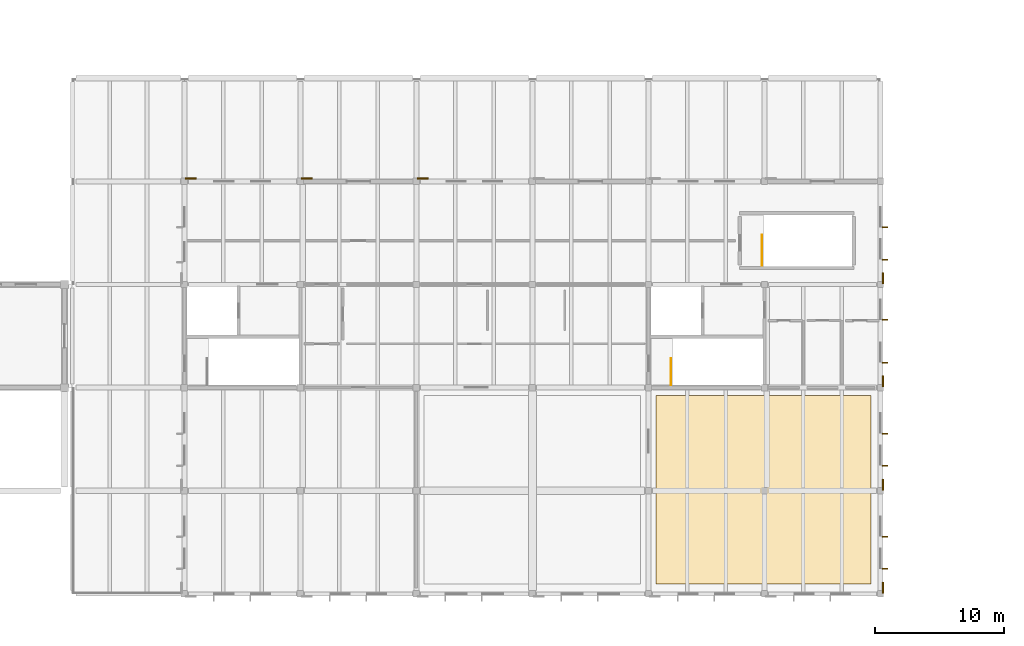
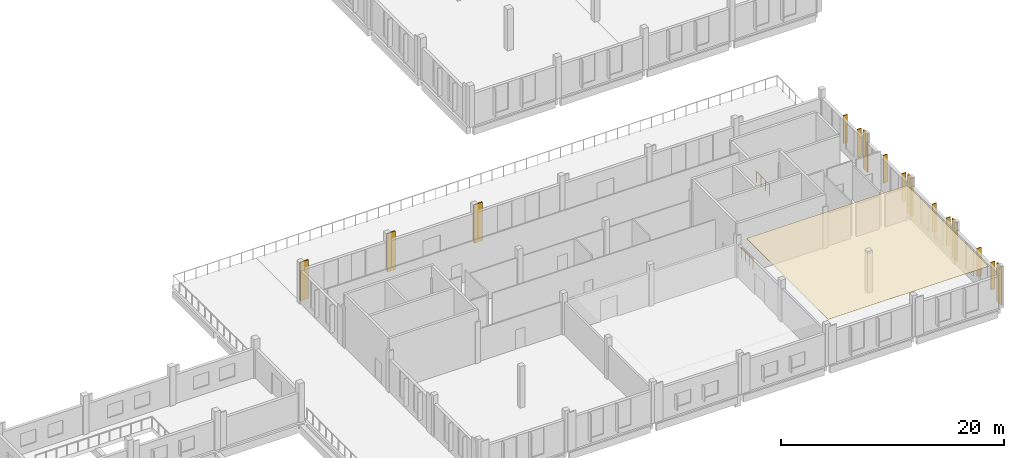
# One storey, part 22 of 25: 8 coverings, 8 shading devices, 2 railings.
"""IFC4 building model written with IfcOpenShell, lengths in metres."""

from ifc_helpers import new_model, si_unit, direction, frame, origin, origin_2d, place, context, subcontext, project, spatial, polyline, rectangle, circle, outline, extrude, material, layer, layer_set, type_object, element, save


model = new_model("IFC4")

# Units and contexts
model_context = context("Model", 3, precision=1e-05, world=origin(), true_north=direction((0.0, 1.0)))
body_context = subcontext(model_context, "Body", "Model", "MODEL_VIEW")
ifc_project = project(units=[si_unit("LENGTHUNIT", "METRE"), si_unit("AREAUNIT", "SQUARE_METRE"), si_unit("VOLUMEUNIT", "CUBIC_METRE"), si_unit("PLANEANGLEUNIT", "RADIAN"), si_unit("MASSUNIT", "GRAM", prefix="KILO")], contexts=[model_context])

# Site, building, storey
site_placement = place(None, origin())
site = spatial("IfcSite", under=ifc_project, at=site_placement, CompositionType="ELEMENT")
building_placement = place(site_placement, origin())
building = spatial("IfcBuilding", under=site, at=building_placement, Name="Zacnel Wholesale Market", CompositionType="ELEMENT")
storey_placement = place(building_placement, frame((0.0, 0.0, 15.75)))
storey = spatial("IfcBuildingStorey", under=building, at=storey_placement, Name="L04", CompositionType="ELEMENT", Elevation=15.75)

# Coverings
ifc_material_1 = material(Name="Micro-perforated acoustic gypsum ceiling")
ifc_layer_1 = layer(ifc_material_1, 0.02001953125)
ifc_layer_set_1 = layer_set([ifc_layer_1], Name="Micro-perforated acoustic gypsum ceiling")
covering_type_1 = type_object("IfcCoveringType", Name="COV-CEIL-AC-20", PredefinedType="CEILING", material=ifc_layer_set_1)
covering_placement = place(storey_placement, frame((0.0, 0.0, 4.2099609375)))
element("IfcCovering", 1, at=covering_placement, inside=storey, type_object=covering_type_1, Name="Acoustic ceiling L04-504", PredefinedType="CEILING", context=body_context, shape_type="SweptSolid", body=[
    extrude(outline(polyline([(189.60009765625, 0.75), (206.25, 0.75), (206.25, 15.39990234375), (189.60009765625, 15.39990234375), (189.60009765625, 0.75)])), origin(), (0.0, 0.0, 1.0), 0.02001953125),
])
ifc_material_2 = material(Name="Honed Yucatan Maya cream limestone", Category="masonry")
ifc_layer_2 = layer(ifc_material_2, 0.090087890625)
ifc_layer_set_2 = layer_set([ifc_layer_2], Name="Honed Yucatan Maya cream limestone")
covering_type_2 = type_object("IfcCoveringType", Name="COV-CLAD-FRET", PredefinedType="CLADDING", material=ifc_layer_set_2)
for number, where, z_axis, x_axis, name in (
    (2, (153.47998046875, 32.2099609375, 0.02001953125), (0.0, 0.0, 1.0), (1.0, 0.0, 0.0), "Fluted Mayan-Deco limestone pilaster L04-0265"),
    (3, (162.47998046875, 32.2099609375, 0.02001953125), (0.0, 0.0, 1.0), (1.0, 0.0, 0.0), "Fluted Mayan-Deco limestone pilaster L04-0266"),
    (4, (171.47998046875, 32.2099609375, 0.02001953125), (0.0, 0.0, 1.0), (1.0, 0.0, 0.0), "Fluted Mayan-Deco limestone pilaster L04-0267"),
    (5, (207.2099609375, 0.47998046875, 0.02001953125), (0.0, 0.0, 1.0), (0.0, 1.0, 0.0), "Fluted Mayan-Deco limestone pilaster L04-0274"),
    (6, (207.2099609375, 8.47998046875, 0.02001953125), (0.0, 0.0, 1.0), (0.0, 1.0, 0.0), "Fluted Mayan-Deco limestone pilaster L04-0275"),
    (7, (207.2099609375, 16.47998046875, 0.02001953125), (0.0, 0.0, 1.0), (0.0, 1.0, 0.0), "Fluted Mayan-Deco limestone pilaster L04-0276"),
    (8, (207.2099609375, 24.47998046875, 0.02001953125), (0.0, 0.0, 1.0), (0.0, 1.0, 0.0), "Fluted Mayan-Deco limestone pilaster L04-0277"),
):
    element("IfcCovering", number, at=place(storey_placement, frame(where, z_axis=z_axis, x_axis=x_axis)), inside=storey, type_object=covering_type_2, Name=name, PredefinedType="CLADDING", context=body_context, shape_type="SweptSolid", body=[
        extrude(rectangle(XDim=0.85009765625, YDim=0.1201171875, at=origin_2d()), origin(), (0.0, 0.0, 1.0), 4.2099609375),
    ])

# Railings
ifc_material_3 = material(Name="Galvanized steel", Category="steel")
railing_type = type_object("IfcRailingType", Name="RAL-STAIR-GD1150", PredefinedType="BALUSTRADE", material=ifc_material_3)
railing_1_placement = place(storey_placement, frame((190.75, 16.18994140625, 0.0)))
element("IfcRailing", 9, at=railing_1_placement, inside=storey, type_object=railing_type, Name="Stair balustrade INT-STAIR-ST-06-GDWELL-1", PredefinedType="BALUSTRADE", context=body_context, shape_type="SweptSolid", body=[
    extrude(circle(Radius=0.02392578125, at=origin_2d()), frame((0.0, 0.0, 1.1259765625), z_axis=(0.0, 1.0, 0.0), x_axis=(-1.0, 0.0, 0.0)), (0.0, 0.0, 1.0), 2.06005859375),
    extrude(circle(Radius=0.02099609375, at=origin_2d()), origin(), (0.0, 0.0, 1.0), 1.101806640625),
    extrude(circle(Radius=0.02099609375, at=origin_2d()), frame((0.0, 0.686767578125, 0.0)), (0.0, 0.0, 1.0), 1.101806640625),
    extrude(circle(Radius=0.02099609375, at=origin_2d()), frame((0.0, 1.373291015625, 0.0)), (0.0, 0.0, 1.0), 1.101806640625),
    extrude(circle(Radius=0.02099609375, at=origin_2d()), frame((0.0, 2.06005859375, 0.0)), (0.0, 0.0, 1.0), 1.101806640625),
])
railing_2_placement = place(storey_placement, frame((197.820068359375, 25.4599609375, 0.0)))
element("IfcRailing", 10, at=railing_2_placement, inside=storey, type_object=railing_type, Name="Stair balustrade INT-STAIR-ST-26-GDWELL-1", PredefinedType="BALUSTRADE", context=body_context, shape_type="SweptSolid", body=[
    extrude(circle(Radius=0.02392578125, at=origin_2d()), frame((0.0, 0.0, 1.1259765625), z_axis=(0.0, 1.0, 0.0), x_axis=(-1.0, 0.0, 0.0)), (0.0, 0.0, 1.0), 2.3701171875),
    extrude(circle(Radius=0.02099609375, at=origin_2d()), origin(), (0.0, 0.0, 1.0), 1.101806640625),
    extrude(circle(Radius=0.02099609375, at=origin_2d()), frame((0.0, 0.7900390625, 0.0)), (0.0, 0.0, 1.0), 1.101806640625),
    extrude(circle(Radius=0.02099609375, at=origin_2d()), frame((0.0, 1.580078125, 0.0)), (0.0, 0.0, 1.0), 1.101806640625),
    extrude(circle(Radius=0.02099609375, at=origin_2d()), frame((0.0, 2.3701171875, 0.0)), (0.0, 0.0, 1.0), 1.101806640625),
])

# Shading devices
ifc_material_4 = material(Name="Honed Yucatan Maya cream limestone", Category="masonry")
shading_device_type = type_object("IfcShadingDeviceType", Name="SHD-FIN-V450", PredefinedType="USERDEFINED", material=ifc_material_4)
for number, where, z_axis, x_axis, name in (
    (11, (207.360107421875, 1.93994140625, 0.5849609375), (0.0, 0.0, 1.0), (0.0, 1.0, 0.0), "Limestone sunshade fin 0323"),
    (12, (207.360107421875, 4.43994140625, 0.5849609375), (0.0, 0.0, 1.0), (0.0, 1.0, 0.0), "Limestone sunshade fin 0324"),
    (13, (207.360107421875, 9.93994140625, 0.5849609375), (0.0, 0.0, 1.0), (0.0, 1.0, 0.0), "Limestone sunshade fin 0325"),
    (14, (207.360107421875, 12.43994140625, 0.5849609375), (0.0, 0.0, 1.0), (0.0, 1.0, 0.0), "Limestone sunshade fin 0326"),
    (15, (207.360107421875, 17.93994140625, 0.5849609375), (0.0, 0.0, 1.0), (0.0, 1.0, 0.0), "Limestone sunshade fin 0327"),
    (16, (207.360107421875, 21.264892578125, 0.5849609375), (0.0, 0.0, 1.0), (0.0, 1.0, 0.0), "Limestone sunshade fin 0328"),
    (17, (207.360107421875, 25.93994140625, 0.5849609375), (0.0, 0.0, 1.0), (0.0, 1.0, 0.0), "Limestone sunshade fin 0329"),
    (18, (207.360107421875, 28.43994140625, 0.5849609375), (0.0, 0.0, 1.0), (0.0, 1.0, 0.0), "Limestone sunshade fin 0330"),
):
    element("IfcShadingDevice", number, at=place(storey_placement, frame(where, z_axis=z_axis, x_axis=x_axis)), inside=storey, type_object=shading_device_type, Name=name, ObjectType="SUNSHADE", PredefinedType="USERDEFINED", context=body_context, shape_type="SweptSolid", body=[
        extrude(rectangle(XDim=0.080078125, YDim=0.43994140625, at=origin_2d()), origin(), (0.0, 0.0, 1.0), 3.050048828125),
    ])

save(model, "model.ifc")
